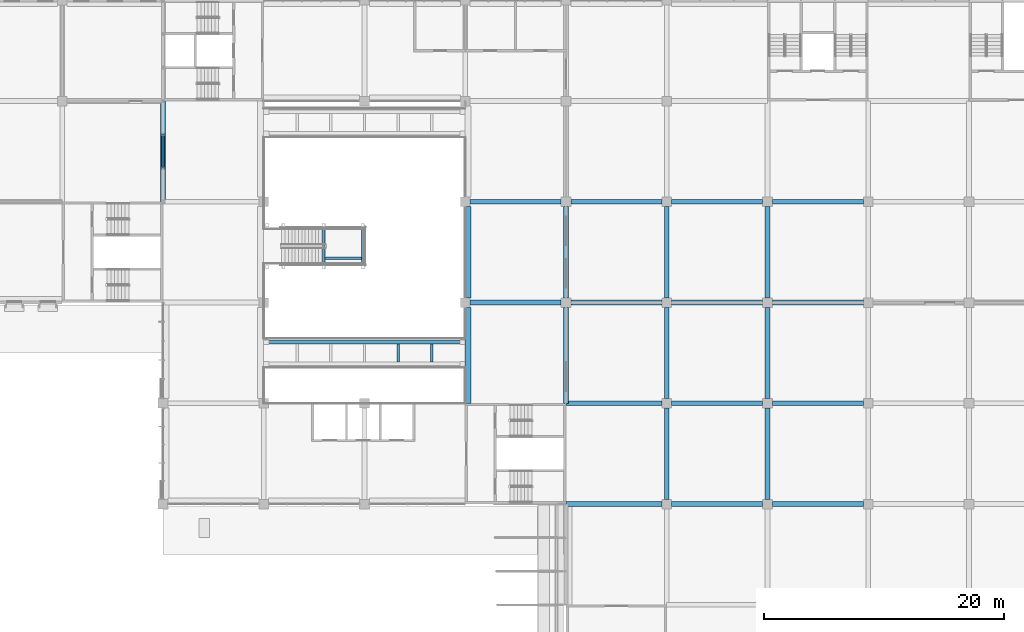
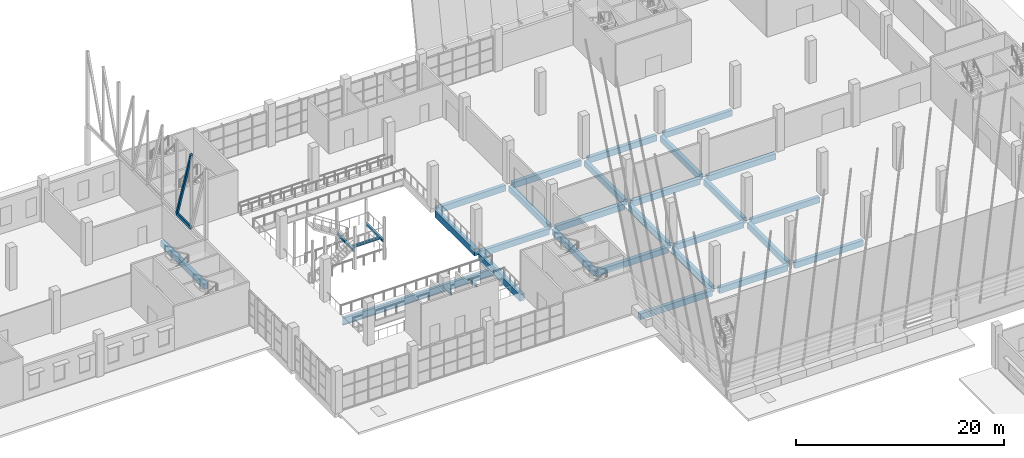
# One storey, part 14 of 101: 31 beams, 2 members.
"""IFC4 building model written with IfcOpenShell, lengths in metres."""

from ifc_helpers import new_model, si_unit, direction, frame, origin, origin_2d, place, context, subcontext, project, spatial, rectangle, hollow_rectangle, i_section, extrude, material, material_profile, profile_set, type_object, element, save


model = new_model("IFC4")

# Units and contexts
model_context = context("Model", 3, precision=1e-05, world=origin(), true_north=direction((0.0, 1.0)))
body_context = subcontext(model_context, "Body", "Model", "MODEL_VIEW")
ifc_project = project(units=[si_unit("LENGTHUNIT", "METRE"), si_unit("AREAUNIT", "SQUARE_METRE"), si_unit("VOLUMEUNIT", "CUBIC_METRE"), si_unit("PLANEANGLEUNIT", "RADIAN"), si_unit("MASSUNIT", "GRAM", prefix="KILO")], contexts=[model_context])

# Site, building, storey
site_placement = place(None, origin())
site = spatial("IfcSite", under=ifc_project, at=site_placement, CompositionType="ELEMENT")
building_placement = place(site_placement, origin())
building = spatial("IfcBuilding", under=site, at=building_placement, Name="Almond Square Museum", CompositionType="ELEMENT")
storey_placement = place(building_placement, frame((0.0, 0.0, 5.5)))
storey = spatial("IfcBuildingStorey", under=building, at=storey_placement, Name="L01", CompositionType="ELEMENT", Elevation=5.5)

# Beams
ifc_material_1 = material(Name="Structural steel S355", Category="steel")
ifc_material_profile_1 = material_profile(ifc_material_1, i_section(OverallWidth=0.202880859375, OverallDepth=0.302001953125, WebThickness=0.007568359375, FlangeThickness=0.01318359375, at=origin_2d()))
ifc_profile_set_1 = profile_set([ifc_material_profile_1], Name="Structural steel S355")
beam_type_1 = type_object("IfcBeamType", Name="Feature stair landing beam W310x60", PredefinedType="BEAM", material=ifc_profile_set_1)
for number, where, z_axis, x_axis, name in (
    (1, (86.594970703125, 87.074951171875, 2.14892578125), (0.0, 1.0, 0.0), (-1.0, 0.0, 0.0), "L01 atrium feature stair landing beam"),
    (2, (89.85009765625, 87.074951171875, 2.14892578125), (0.0, 1.0, 0.0), (-1.0, 0.0, 0.0), "L01 atrium feature stair landing beam"),
):
    element("IfcBeam", number, at=place(storey_placement, frame(where, z_axis=z_axis, x_axis=x_axis)), inside=storey, type_object=beam_type_1, Name=name, PredefinedType="BEAM", context=body_context, shape_type="SweptSolid", body=[
        extrude(i_section(OverallWidth=0.202880859375, OverallDepth=0.302001953125, WebThickness=0.007568359375, FlangeThickness=0.01318359375, at=origin_2d()), origin(), (0.0, 0.0, 1.0), 3.25),
    ])
beam_1_placement = place(storey_placement, frame((86.696533203125, 87.699951171875, 2.14892578125), z_axis=(1.0, 0.0, 0.0), x_axis=(0.0, 1.0, 0.0)))
element("IfcBeam", 3, at=beam_1_placement, inside=storey, type_object=beam_type_1, Name="L01 atrium feature stair landing trimmer", PredefinedType="BEAM", context=body_context, shape_type="SweptSolid", body=[
    extrude(i_section(OverallWidth=0.202880859375, OverallDepth=0.302001953125, WebThickness=0.007568359375, FlangeThickness=0.01318359375, at=origin_2d()), origin(), (0.0, 0.0, 1.0), 3.052001953125),
])
ifc_material_2 = material(Name="Structural steel S355", Category="steel")
ifc_material_profile_2 = material_profile(ifc_material_2, i_section(OverallWidth=0.202880859375, OverallDepth=0.302001953125, WebThickness=0.007568359375, FlangeThickness=0.01318359375, at=origin_2d()))
ifc_profile_set_2 = profile_set([ifc_material_profile_2], Name="Structural steel S355")
beam_type_2 = type_object("IfcBeamType", Name="Floor beam W310x60", PredefinedType="BEAM", material=ifc_profile_set_2)
for number, where, z_axis, x_axis, name in (
    (4, (92.800048828125, 79.0458984375, -0.301025390625), (0.0, 1.0, 0.0), (-1.0, 0.0, 0.0), "Bridge 1 cross beam 4"),
    (5, (95.60009765625, 79.0458984375, -0.301025390625), (0.0, 1.0, 0.0), (-1.0, 0.0, 0.0), "Bridge 1 cross beam 5"),
):
    element("IfcBeam", number, at=place(storey_placement, frame(where, z_axis=z_axis, x_axis=x_axis)), inside=storey, type_object=beam_type_2, Name=name, PredefinedType="BEAM", context=body_context, shape_type="SweptSolid", body=[
        extrude(i_section(OverallWidth=0.202880859375, OverallDepth=0.302001953125, WebThickness=0.007568359375, FlangeThickness=0.01318359375, at=origin_2d()), origin(), (0.0, 0.0, 1.0), 1.508056640625),
    ])
ifc_material_3 = material(Name="Structural steel S355", Category="steel")
ifc_material_profile_3 = material_profile(ifc_material_3, i_section(OverallWidth=0.2919921875, OverallDepth=0.8359375, WebThickness=0.013916015625, FlangeThickness=0.018798828125, at=origin_2d()))
ifc_profile_set_3 = profile_set([ifc_material_profile_3], Name="Structural steel S355")
beam_type_3 = type_object("IfcBeamType", Name="Girder W840x176", PredefinedType="BEAM", material=ifc_profile_set_3)
beam_2_placement = place(storey_placement, frame((81.60009765625, 80.699951171875, -0.568115234375), z_axis=(1.0, 0.0, 0.0), x_axis=(0.0, 1.0, 0.0)))
element("IfcBeam", 6, at=beam_2_placement, inside=storey, type_object=beam_type_3, Name="Bridge 1 girder 2", PredefinedType="BEAM", context=body_context, shape_type="SweptSolid", body=[
    extrude(i_section(OverallWidth=0.2919921875, OverallDepth=0.8359375, WebThickness=0.013916015625, FlangeThickness=0.018798828125, at=origin_2d()), origin(), (0.0, 0.0, 1.0), 16.7998046875),
])
ifc_material_4 = material(Name="Concrete C40/50", Category="concrete")
ifc_material_profile_4 = material_profile(ifc_material_4, rectangle(XDim=0.39990234375, YDim=0.699951171875, at=origin_2d()))
ifc_profile_set_4 = profile_set([ifc_material_profile_4], Name="Concrete C40/50")
beam_type_4 = type_object("IfcBeamType", Name="RC beam 400 x 700 C40/50", PredefinedType="BEAM", material=ifc_profile_set_4)
beam_3_placement = place(storey_placement, frame((106.800048828125, 67.199951171875, -0.60009765625), z_axis=(1.0, 0.0, 0.0), x_axis=(0.0, 1.0, 0.0)))
element("IfcBeam", 7, at=beam_3_placement, inside=storey, type_object=beam_type_4, Name="Beam I 14-15 L01", PredefinedType="BEAM", context=body_context, shape_type="SweptSolid", body=[
    extrude(rectangle(XDim=0.39990234375, YDim=0.699951171875, at=origin_2d()), origin(), (0.0, 0.0, 1.0), 8.0),
])
beam_4_placement = place(storey_placement, frame((115.60009765625, 67.199951171875, -0.60009765625), z_axis=(1.0, 0.0, 0.0), x_axis=(0.0, 1.0, 0.0)))
element("IfcBeam", 8, at=beam_4_placement, inside=storey, type_object=beam_type_4, Name="Beam I 15-16 L01", PredefinedType="BEAM", context=body_context, shape_type="SweptSolid", body=[
    extrude(rectangle(XDim=0.39990234375, YDim=0.699951171875, at=origin_2d()), origin(), (0.0, 0.0, 1.0), 7.599853515625),
])
beam_5_placement = place(storey_placement, frame((124.0, 67.199951171875, -0.60009765625), z_axis=(1.0, 0.0, 0.0), x_axis=(0.0, 1.0, 0.0)))
element("IfcBeam", 9, at=beam_5_placement, inside=storey, type_object=beam_type_4, Name="Beam I 16-17 L01", PredefinedType="BEAM", context=body_context, shape_type="SweptSolid", body=[
    extrude(rectangle(XDim=0.39990234375, YDim=0.699951171875, at=origin_2d()), origin(), (0.0, 0.0, 1.0), 7.60009765625),
])
beam_6_placement = place(storey_placement, frame((106.800048828125, 75.60009765625, -0.60009765625), z_axis=(1.0, 0.0, 0.0), x_axis=(0.0, 1.0, 0.0)))
element("IfcBeam", 10, at=beam_6_placement, inside=storey, type_object=beam_type_4, Name="Beam J 14-15 L01", PredefinedType="BEAM", context=body_context, shape_type="SweptSolid", body=[
    extrude(rectangle(XDim=0.39990234375, YDim=0.699951171875, at=origin_2d()), origin(), (0.0, 0.0, 1.0), 8.0),
])
beam_7_placement = place(storey_placement, frame((115.60009765625, 75.60009765625, -0.60009765625), z_axis=(1.0, 0.0, 0.0), x_axis=(0.0, 1.0, 0.0)))
element("IfcBeam", 11, at=beam_7_placement, inside=storey, type_object=beam_type_4, Name="Beam J 15-16 L01", PredefinedType="BEAM", context=body_context, shape_type="SweptSolid", body=[
    extrude(rectangle(XDim=0.39990234375, YDim=0.699951171875, at=origin_2d()), origin(), (0.0, 0.0, 1.0), 7.599853515625),
])
beam_8_placement = place(storey_placement, frame((124.0, 75.60009765625, -0.60009765625), z_axis=(1.0, 0.0, 0.0), x_axis=(0.0, 1.0, 0.0)))
element("IfcBeam", 12, at=beam_8_placement, inside=storey, type_object=beam_type_4, Name="Beam J 16-17 L01", PredefinedType="BEAM", context=body_context, shape_type="SweptSolid", body=[
    extrude(rectangle(XDim=0.39990234375, YDim=0.699951171875, at=origin_2d()), origin(), (0.0, 0.0, 1.0), 7.60009765625),
])
beam_9_placement = place(storey_placement, frame((98.800048828125, 84.0, -0.60009765625), z_axis=(1.0, 0.0, 0.0), x_axis=(0.0, 1.0, 0.0)))
element("IfcBeam", 13, at=beam_9_placement, inside=storey, type_object=beam_type_4, Name="Beam K 13-14 L01", PredefinedType="BEAM", context=body_context, shape_type="SweptSolid", body=[
    extrude(rectangle(XDim=0.39990234375, YDim=0.699951171875, at=origin_2d()), origin(), (0.0, 0.0, 1.0), 7.599853515625),
])
beam_10_placement = place(storey_placement, frame((107.199951171875, 84.0, -0.60009765625), z_axis=(1.0, 0.0, 0.0), x_axis=(0.0, 1.0, 0.0)))
element("IfcBeam", 14, at=beam_10_placement, inside=storey, type_object=beam_type_4, Name="Beam K 14-15 L01", PredefinedType="BEAM", context=body_context, shape_type="SweptSolid", body=[
    extrude(rectangle(XDim=0.39990234375, YDim=0.699951171875, at=origin_2d()), origin(), (0.0, 0.0, 1.0), 7.60009765625),
])
beam_11_placement = place(storey_placement, frame((115.60009765625, 84.0, -0.60009765625), z_axis=(1.0, 0.0, 0.0), x_axis=(0.0, 1.0, 0.0)))
element("IfcBeam", 15, at=beam_11_placement, inside=storey, type_object=beam_type_4, Name="Beam K 15-16 L01", PredefinedType="BEAM", context=body_context, shape_type="SweptSolid", body=[
    extrude(rectangle(XDim=0.39990234375, YDim=0.699951171875, at=origin_2d()), origin(), (0.0, 0.0, 1.0), 7.599853515625),
])
beam_12_placement = place(storey_placement, frame((124.0, 84.0, -0.60009765625), z_axis=(1.0, 0.0, 0.0), x_axis=(0.0, 1.0, 0.0)))
element("IfcBeam", 16, at=beam_12_placement, inside=storey, type_object=beam_type_4, Name="Beam K 16-17 L01", PredefinedType="BEAM", context=body_context, shape_type="SweptSolid", body=[
    extrude(rectangle(XDim=0.39990234375, YDim=0.699951171875, at=origin_2d()), origin(), (0.0, 0.0, 1.0), 7.60009765625),
])
beam_13_placement = place(storey_placement, frame((98.800048828125, 92.39990234375, -0.60009765625), z_axis=(1.0, 0.0, 0.0), x_axis=(0.0, 1.0, 0.0)))
element("IfcBeam", 17, at=beam_13_placement, inside=storey, type_object=beam_type_4, Name="Beam L 13-14 L01", PredefinedType="BEAM", context=body_context, shape_type="SweptSolid", body=[
    extrude(rectangle(XDim=0.39990234375, YDim=0.699951171875, at=origin_2d()), origin(), (0.0, 0.0, 1.0), 7.599853515625),
])
beam_14_placement = place(storey_placement, frame((107.199951171875, 92.39990234375, -0.60009765625), z_axis=(1.0, 0.0, 0.0), x_axis=(0.0, 1.0, 0.0)))
element("IfcBeam", 18, at=beam_14_placement, inside=storey, type_object=beam_type_4, Name="Beam L 14-15 L01", PredefinedType="BEAM", context=body_context, shape_type="SweptSolid", body=[
    extrude(rectangle(XDim=0.39990234375, YDim=0.699951171875, at=origin_2d()), origin(), (0.0, 0.0, 1.0), 7.60009765625),
])
beam_15_placement = place(storey_placement, frame((115.60009765625, 92.39990234375, -0.60009765625), z_axis=(1.0, 0.0, 0.0), x_axis=(0.0, 1.0, 0.0)))
element("IfcBeam", 19, at=beam_15_placement, inside=storey, type_object=beam_type_4, Name="Beam L 15-16 L01", PredefinedType="BEAM", context=body_context, shape_type="SweptSolid", body=[
    extrude(rectangle(XDim=0.39990234375, YDim=0.699951171875, at=origin_2d()), origin(), (0.0, 0.0, 1.0), 7.599853515625),
])
beam_16_placement = place(storey_placement, frame((124.0, 92.39990234375, -0.60009765625), z_axis=(1.0, 0.0, 0.0), x_axis=(0.0, 1.0, 0.0)))
element("IfcBeam", 20, at=beam_16_placement, inside=storey, type_object=beam_type_4, Name="Beam L 16-17 L01", PredefinedType="BEAM", context=body_context, shape_type="SweptSolid", body=[
    extrude(rectangle(XDim=0.39990234375, YDim=0.699951171875, at=origin_2d()), origin(), (0.0, 0.0, 1.0), 7.60009765625),
])
beam_17_placement = place(storey_placement, frame((73.199951171875, 92.39990234375, -0.60009765625), z_axis=(0.0, 1.0, 0.0), x_axis=(-1.0, 0.0, 0.0)))
element("IfcBeam", 21, at=beam_17_placement, inside=storey, type_object=beam_type_4, Name="Beam 10 L-M L01", PredefinedType="BEAM", context=body_context, shape_type="SweptSolid", body=[
    extrude(rectangle(XDim=0.39990234375, YDim=0.699951171875, at=origin_2d()), origin(), (0.0, 0.0, 1.0), 8.400146484375),
])
beam_18_placement = place(storey_placement, frame((106.800048828125, 75.60009765625, -0.60009765625), z_axis=(0.0, 1.0, 0.0), x_axis=(-1.0, 0.0, 0.0)))
element("IfcBeam", 22, at=beam_18_placement, inside=storey, type_object=beam_type_4, Name="Beam 14 J-K L01", PredefinedType="BEAM", context=body_context, shape_type="SweptSolid", body=[
    extrude(rectangle(XDim=0.39990234375, YDim=0.699951171875, at=origin_2d()), origin(), (0.0, 0.0, 1.0), 8.0),
])
beam_19_placement = place(storey_placement, frame((106.800048828125, 84.39990234375, -0.60009765625), z_axis=(0.0, 1.0, 0.0), x_axis=(-1.0, 0.0, 0.0)))
element("IfcBeam", 23, at=beam_19_placement, inside=storey, type_object=beam_type_4, Name="Beam 14 K-L L01", PredefinedType="BEAM", context=body_context, shape_type="SweptSolid", body=[
    extrude(rectangle(XDim=0.39990234375, YDim=0.699951171875, at=origin_2d()), origin(), (0.0, 0.0, 1.0), 7.60009765625),
])
beam_20_placement = place(storey_placement, frame((115.199951171875, 67.60009765625, -0.60009765625), z_axis=(0.0, 1.0, 0.0), x_axis=(-1.0, 0.0, 0.0)))
element("IfcBeam", 24, at=beam_20_placement, inside=storey, type_object=beam_type_4, Name="Beam 15 I-J L01", PredefinedType="BEAM", context=body_context, shape_type="SweptSolid", body=[
    extrude(rectangle(XDim=0.39990234375, YDim=0.699951171875, at=origin_2d()), origin(), (0.0, 0.0, 1.0), 7.599853515625),
])
for number, where, z_axis, x_axis, name in (
    (25, (115.199951171875, 76.0, -0.60009765625), (0.0, 1.0, 0.0), (-1.0, 0.0, 0.0), "Beam 15 J-K L01"),
    (26, (115.199951171875, 84.39990234375, -0.60009765625), (0.0, 1.0, 0.0), (-1.0, 0.0, 0.0), "Beam 15 K-L L01"),
):
    element("IfcBeam", number, at=place(storey_placement, frame(where, z_axis=z_axis, x_axis=x_axis)), inside=storey, type_object=beam_type_4, Name=name, PredefinedType="BEAM", context=body_context, shape_type="SweptSolid", body=[
        extrude(rectangle(XDim=0.39990234375, YDim=0.699951171875, at=origin_2d()), origin(), (0.0, 0.0, 1.0), 7.60009765625),
    ])
beam_21_placement = place(storey_placement, frame((123.60009765625, 67.60009765625, -0.60009765625), z_axis=(0.0, 1.0, 0.0), x_axis=(-1.0, 0.0, 0.0)))
element("IfcBeam", 27, at=beam_21_placement, inside=storey, type_object=beam_type_4, Name="Beam 16 I-J L01", PredefinedType="BEAM", context=body_context, shape_type="SweptSolid", body=[
    extrude(rectangle(XDim=0.39990234375, YDim=0.699951171875, at=origin_2d()), origin(), (0.0, 0.0, 1.0), 7.599853515625),
])
for number, where, z_axis, x_axis, name in (
    (28, (123.60009765625, 76.0, -0.60009765625), (0.0, 1.0, 0.0), (-1.0, 0.0, 0.0), "Beam 16 J-K L01"),
    (29, (123.60009765625, 84.39990234375, -0.60009765625), (0.0, 1.0, 0.0), (-1.0, 0.0, 0.0), "Beam 16 K-L L01"),
):
    element("IfcBeam", number, at=place(storey_placement, frame(where, z_axis=z_axis, x_axis=x_axis)), inside=storey, type_object=beam_type_4, Name=name, PredefinedType="BEAM", context=body_context, shape_type="SweptSolid", body=[
        extrude(rectangle(XDim=0.39990234375, YDim=0.699951171875, at=origin_2d()), origin(), (0.0, 0.0, 1.0), 7.60009765625),
    ])
ifc_material_5 = material(Name="Concrete C40/50", Category="concrete")
ifc_material_profile_5 = material_profile(ifc_material_5, rectangle(XDim=0.5, YDim=0.800048828125, at=origin_2d()))
ifc_profile_set_5 = profile_set([ifc_material_profile_5], Name="Concrete C40/50")
beam_type_5 = type_object("IfcBeamType", Name="RC edge beam 500 x 800 C40/50", PredefinedType="BEAM", material=ifc_profile_set_5)
beam_22_placement = place(storey_placement, frame((98.64990234375, 75.60009765625, -0.64990234375), z_axis=(0.0, 1.0, 0.0), x_axis=(-1.0, 0.0, 0.0)))
element("IfcBeam", 30, at=beam_22_placement, inside=storey, type_object=beam_type_5, Name="Edge beam 13 J-K L01", PredefinedType="BEAM", context=body_context, shape_type="SweptSolid", body=[
    extrude(rectangle(XDim=0.5, YDim=0.800048828125, at=origin_2d()), origin(), (0.0, 0.0, 1.0), 8.0),
])
beam_23_placement = place(storey_placement, frame((98.64990234375, 84.39990234375, -0.64990234375), z_axis=(0.0, 1.0, 0.0), x_axis=(-1.0, 0.0, 0.0)))
element("IfcBeam", 31, at=beam_23_placement, inside=storey, type_object=beam_type_5, Name="Edge beam 13 K-L L01", PredefinedType="BEAM", context=body_context, shape_type="SweptSolid", body=[
    extrude(rectangle(XDim=0.5, YDim=0.800048828125, at=origin_2d()), origin(), (0.0, 0.0, 1.0), 7.60009765625),
])

# Members
ifc_material_6 = material(Name="Structural steel S355", Category="steel")
ifc_material_profile_6 = material_profile(ifc_material_6, hollow_rectangle(XDim=0.199951171875, YDim=0.39990234375, WallThickness=0.012451171875, InnerFilletRadius=0.02490234375, OuterFilletRadius=0.03759765625, at=origin_2d()))
ifc_profile_set_6 = profile_set([ifc_material_profile_6], Name="Structural steel S355")
member_type_1 = type_object("IfcMemberType", Name="Truss chord RHS 400x200x12.5", PredefinedType="CHORD", material=ifc_profile_set_6)
member_1_placement = place(storey_placement, frame((73.199951171875, 95.199951171875, 4.550048828125), z_axis=(0.0, 1.0, 0.0), x_axis=(-1.0, 0.0, 0.0)))
element("IfcMember", 32, at=member_1_placement, inside=storey, type_object=member_type_1, Name="TR-17 bottom chord 2", PredefinedType="CHORD", context=body_context, shape_type="SweptSolid", body=[
    extrude(hollow_rectangle(XDim=0.199951171875, YDim=0.39990234375, WallThickness=0.012451171875, InnerFilletRadius=0.02490234375, OuterFilletRadius=0.03759765625, at=origin_2d()), origin(), (0.0, 0.0, 1.0), 2.800048828125),
])
ifc_material_7 = material(Name="Structural steel S355", Category="steel")
ifc_material_profile_7 = material_profile(ifc_material_7, hollow_rectangle(XDim=0.25, YDim=0.25, WallThickness=0.012451171875, InnerFilletRadius=0.02490234375, OuterFilletRadius=0.03759765625, at=origin_2d()))
ifc_profile_set_7 = profile_set([ifc_material_profile_7], Name="Structural steel S355")
member_type_2 = type_object("IfcMemberType", Name="Truss diagonal SHS 250x250x12.5", PredefinedType="BRACE", material=ifc_profile_set_7)
member_2_placement = place(storey_placement, frame((73.199951171875, 95.199951171875, 13.199951171875), z_axis=(0.0, 0.307974711219, -0.95139454342), x_axis=(-1.0, 0.0, 0.0)))
element("IfcMember", 33, at=member_2_placement, inside=storey, type_object=member_type_2, Name="TR-17 diagonal 2", PredefinedType="BRACE", context=body_context, shape_type="SweptSolid", body=[
    extrude(hollow_rectangle(XDim=0.25, YDim=0.25, WallThickness=0.012451171875, InnerFilletRadius=0.02490234375, OuterFilletRadius=0.03759765625, at=origin_2d()), origin(), (0.0, 0.0, 1.0), 9.091796875),
])

save(model, "model.ifc")
